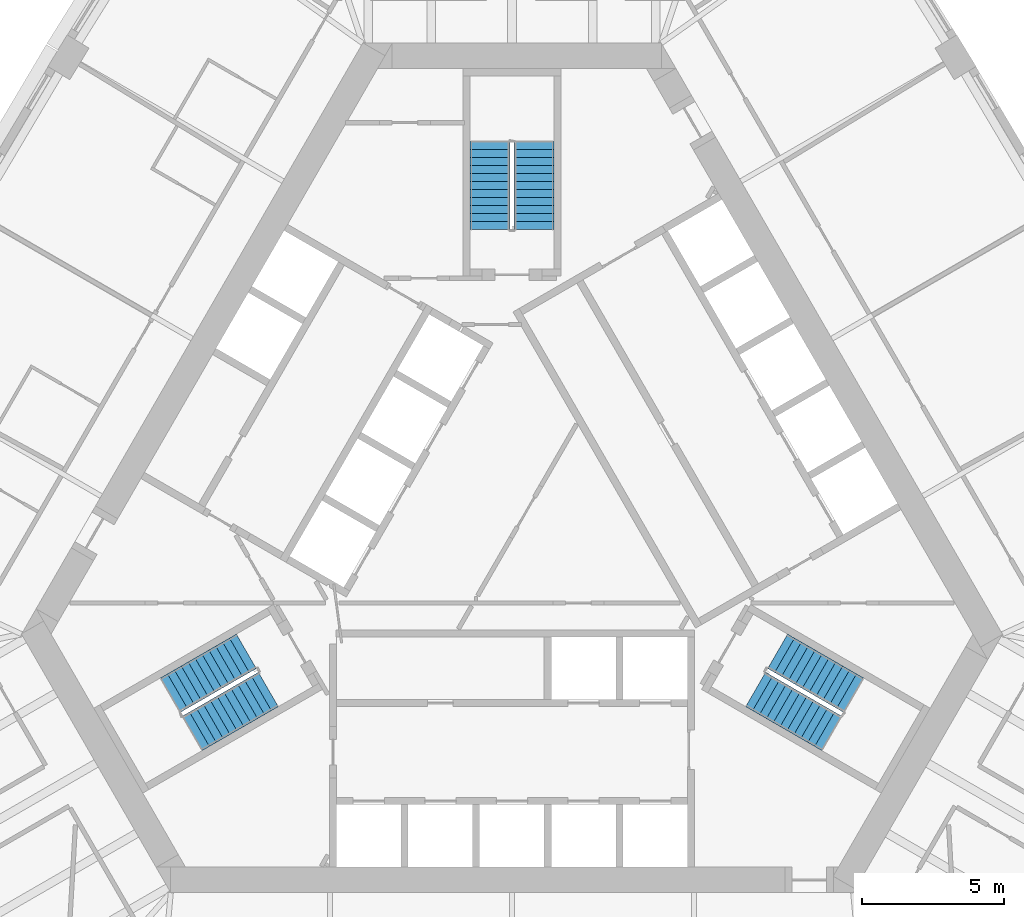
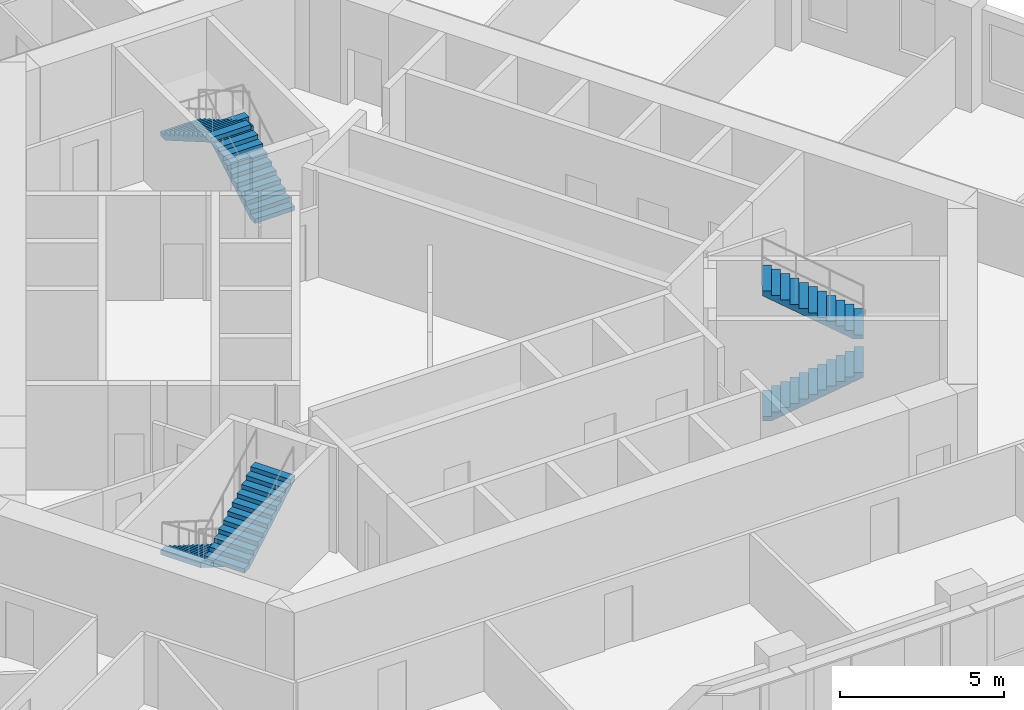
# One storey, part 11 of 12: 6 stair flights, 3 elements without a shape of their own.
"""IFC4 building model written with IfcOpenShell, lengths in metres."""

from ifc_helpers import new_model, si_unit, direction, frame, origin, place, context, subcontext, project, spatial, polyline, outline, extrude, material, type_object, element, aggregate, save


model = new_model("IFC4")

# Units and contexts
model_context = context("Model", 3, precision=1e-05, world=origin(), true_north=direction((0.0, 1.0)))
body_context = subcontext(model_context, "Body", "Model", "MODEL_VIEW")
ifc_project = project(units=[si_unit("LENGTHUNIT", "METRE"), si_unit("AREAUNIT", "SQUARE_METRE"), si_unit("VOLUMEUNIT", "CUBIC_METRE"), si_unit("PLANEANGLEUNIT", "RADIAN"), si_unit("MASSUNIT", "GRAM", prefix="KILO")], contexts=[model_context])

# Site, building, storey
site_placement = place(None, origin())
site = spatial("IfcSite", under=ifc_project, at=site_placement, CompositionType="ELEMENT")
building_placement = place(site_placement, origin())
building = spatial("IfcBuilding", under=site, at=building_placement, Name="Mestral Congress Tower", CompositionType="ELEMENT")
storey_placement = place(building_placement, frame((0.0, 0.0, 130.5)))
storey = spatial("IfcBuildingStorey", under=building, at=storey_placement, Name="L31", CompositionType="ELEMENT", Elevation=130.5)

# Stair, stair flights
ifc_material = material(Name="Concrete C60/75", Category="concrete")
stair_type = type_object("IfcStairType", Name="Exit stair 1400", PredefinedType="HALF_TURN_STAIR", material=ifc_material)
placement = place(storey_placement, origin())
stair_1 = element("IfcStair", 1, at=placement, inside=storey, type_object=stair_type, Name="L31 ST1", PredefinedType="HALF_TURN_STAIR")
stair_flight_type = type_object("IfcStairFlightType", Name="Exit stair flight 1400", PredefinedType="STRAIGHT", material=ifc_material)
stair_flight_1_placement = place(storey_placement, frame((8.575927734375, -5.84619140625, 0.0), z_axis=(0.0, 0.0, 1.0), x_axis=(0.866025403784, -0.5, 0.0)))
stair_flight_1 = element("IfcStairFlight", 2, at=stair_flight_1_placement, type_object=stair_flight_type, Name="ST1 flight 1", NumberOfRisers=12, NumberOfTreads=11, PredefinedType="STRAIGHT", RiserHeight=0.1625, TreadLength=0.28, context=body_context, shape_type="SweptSolid", body=[
    extrude(outline(polyline([(0.0, 0.0), (0.0, 0.16259765625), (0.280029296875, 0.16259765625), (0.280029296875, 0.324951171875), (0.56005859375, 0.324951171875), (0.56005859375, 0.487548828125), (0.840087890625, 0.487548828125), (0.840087890625, 0.64990234375), (1.1201171875, 0.64990234375), (1.1201171875, 0.8125), (1.39990234375, 0.8125), (1.39990234375, 0.97509765625), (1.679931640625, 0.97509765625), (1.679931640625, 1.137451171875), (1.9599609375, 1.137451171875), (1.9599609375, 1.300048828125), (2.239990234375, 1.300048828125), (2.239990234375, 1.46240234375), (2.52001953125, 1.46240234375), (2.52001953125, 1.625), (2.800048828125, 1.625), (2.800048828125, 1.78759765625), (3.080078125, 1.78759765625), (3.080078125, 1.949951171875), (3.080078125, 1.6142578125), (0.298583984375, 0.0), (0.0, 0.0)])), frame((0.0, 0.699951171875, 0.0), z_axis=(0.0, -1.0, 0.0), x_axis=(1.0, 0.0, 0.0)), (0.0, 0.0, 1.0), 1.39990234375),
])
stair_flight_2_placement = place(storey_placement, frame((12.018310546875, -6.0439453125, 1.949951171875), z_axis=(0.0, 0.0, 1.0), x_axis=(-0.866025403784, 0.5, 0.0)))
stair_flight_2 = element("IfcStairFlight", 3, at=stair_flight_2_placement, type_object=stair_flight_type, Name="ST1 flight 2", NumberOfRisers=12, NumberOfTreads=11, PredefinedType="STRAIGHT", RiserHeight=0.1625, TreadLength=0.28, context=body_context, shape_type="SweptSolid", body=[
    extrude(outline(polyline([(0.0, 0.0), (0.0, 0.16259765625), (0.280029296875, 0.16259765625), (0.280029296875, 0.324951171875), (0.56005859375, 0.324951171875), (0.56005859375, 0.487548828125), (0.840087890625, 0.487548828125), (0.840087890625, 0.64990234375), (1.1201171875, 0.64990234375), (1.1201171875, 0.8125), (1.39990234375, 0.8125), (1.39990234375, 0.97509765625), (1.679931640625, 0.97509765625), (1.679931640625, 1.137451171875), (1.9599609375, 1.137451171875), (1.9599609375, 1.300048828125), (2.239990234375, 1.300048828125), (2.239990234375, 1.46240234375), (2.52001953125, 1.46240234375), (2.52001953125, 1.625), (2.800048828125, 1.625), (2.800048828125, 1.78759765625), (3.080078125, 1.78759765625), (3.080078125, 1.949951171875), (3.080078125, 1.6142578125), (0.298583984375, 0.0), (0.0, 0.0)])), frame((0.0, 0.699951171875, 0.0), z_axis=(0.0, -1.0, 0.0), x_axis=(1.0, 0.0, 0.0)), (0.0, 0.0, 1.0), 1.39990234375),
])
aggregate(stair_1, [stair_flight_1, stair_flight_2])

stair_2 = element("IfcStair", 4, at=placement, inside=storey, type_object=stair_type, Name="L31 ST2", PredefinedType="HALF_TURN_STAIR")
stair_flight_3_placement = place(storey_placement, frame((0.77490234375, 10.35009765625, 0.0), z_axis=(0.0, 0.0, 1.0), x_axis=(0.0, 1.0, 0.0)))
stair_flight_3 = element("IfcStairFlight", 5, at=stair_flight_3_placement, type_object=stair_flight_type, Name="ST2 flight 1", NumberOfRisers=12, NumberOfTreads=11, PredefinedType="STRAIGHT", RiserHeight=0.1625, TreadLength=0.28, context=body_context, shape_type="SweptSolid", body=[
    extrude(outline(polyline([(0.0, 0.0), (0.0, 0.16259765625), (0.280029296875, 0.16259765625), (0.280029296875, 0.324951171875), (0.56005859375, 0.324951171875), (0.56005859375, 0.487548828125), (0.840087890625, 0.487548828125), (0.840087890625, 0.64990234375), (1.1201171875, 0.64990234375), (1.1201171875, 0.8125), (1.39990234375, 0.8125), (1.39990234375, 0.97509765625), (1.679931640625, 0.97509765625), (1.679931640625, 1.137451171875), (1.9599609375, 1.137451171875), (1.9599609375, 1.300048828125), (2.239990234375, 1.300048828125), (2.239990234375, 1.46240234375), (2.52001953125, 1.46240234375), (2.52001953125, 1.625), (2.800048828125, 1.625), (2.800048828125, 1.78759765625), (3.080078125, 1.78759765625), (3.080078125, 1.949951171875), (3.080078125, 1.6142578125), (0.298583984375, 0.0), (0.0, 0.0)])), frame((0.0, 0.699951171875, 0.0), z_axis=(0.0, -1.0, 0.0), x_axis=(1.0, 0.0, 0.0)), (0.0, 0.0, 1.0), 1.39990234375),
])
stair_flight_4_placement = place(storey_placement, frame((-0.77490234375, 13.429931640625, 1.949951171875), z_axis=(0.0, 0.0, 1.0), x_axis=(0.0, -1.0, 0.0)))
stair_flight_4 = element("IfcStairFlight", 6, at=stair_flight_4_placement, type_object=stair_flight_type, Name="ST2 flight 2", NumberOfRisers=12, NumberOfTreads=11, PredefinedType="STRAIGHT", RiserHeight=0.1625, TreadLength=0.28, context=body_context, shape_type="SweptSolid", body=[
    extrude(outline(polyline([(0.0, 0.0), (0.0, 0.16259765625), (0.280029296875, 0.16259765625), (0.280029296875, 0.324951171875), (0.56005859375, 0.324951171875), (0.56005859375, 0.487548828125), (0.840087890625, 0.487548828125), (0.840087890625, 0.64990234375), (1.1201171875, 0.64990234375), (1.1201171875, 0.8125), (1.39990234375, 0.8125), (1.39990234375, 0.97509765625), (1.679931640625, 0.97509765625), (1.679931640625, 1.137451171875), (1.9599609375, 1.137451171875), (1.9599609375, 1.300048828125), (2.239990234375, 1.300048828125), (2.239990234375, 1.46240234375), (2.52001953125, 1.46240234375), (2.52001953125, 1.625), (2.800048828125, 1.625), (2.800048828125, 1.78759765625), (3.080078125, 1.78759765625), (3.080078125, 1.949951171875), (3.080078125, 1.6142578125), (0.298583984375, 0.0), (0.0, 0.0)])), frame((0.0, 0.699951171875, 0.0), z_axis=(0.0, -1.0, 0.0), x_axis=(1.0, 0.0, 0.0)), (0.0, 0.0, 1.0), 1.39990234375),
])
aggregate(stair_2, [stair_flight_3, stair_flight_4])

stair_3 = element("IfcStair", 7, at=placement, inside=storey, type_object=stair_type, Name="L31 ST3", PredefinedType="HALF_TURN_STAIR")
stair_flight_5_placement = place(storey_placement, frame((-9.350830078125, -4.50390625, 0.0), z_axis=(0.0, 0.0, 1.0), x_axis=(-0.866025403784, -0.5, 0.0)))
stair_flight_5 = element("IfcStairFlight", 8, at=stair_flight_5_placement, type_object=stair_flight_type, Name="ST3 flight 1", NumberOfRisers=12, NumberOfTreads=11, PredefinedType="STRAIGHT", RiserHeight=0.1625, TreadLength=0.28, context=body_context, shape_type="SweptSolid", body=[
    extrude(outline(polyline([(0.0, 0.0), (0.0, 0.16259765625), (0.280029296875, 0.16259765625), (0.280029296875, 0.324951171875), (0.56005859375, 0.324951171875), (0.56005859375, 0.487548828125), (0.840087890625, 0.487548828125), (0.840087890625, 0.64990234375), (1.1201171875, 0.64990234375), (1.1201171875, 0.8125), (1.39990234375, 0.8125), (1.39990234375, 0.97509765625), (1.679931640625, 0.97509765625), (1.679931640625, 1.137451171875), (1.9599609375, 1.137451171875), (1.9599609375, 1.300048828125), (2.239990234375, 1.300048828125), (2.239990234375, 1.46240234375), (2.52001953125, 1.46240234375), (2.52001953125, 1.625), (2.800048828125, 1.625), (2.800048828125, 1.78759765625), (3.080078125, 1.78759765625), (3.080078125, 1.949951171875), (3.080078125, 1.6142578125), (0.298583984375, 0.0), (0.0, 0.0)])), frame((0.0, 0.699951171875, 0.0), z_axis=(0.0, -1.0, 0.0), x_axis=(1.0, 0.0, 0.0)), (0.0, 0.0, 1.0), 1.39990234375),
])
stair_flight_6_placement = place(storey_placement, frame((-11.2431640625, -7.38623046875, 1.949951171875), z_axis=(0.0, 0.0, 1.0), x_axis=(0.866025403784, 0.5, 0.0)))
stair_flight_6 = element("IfcStairFlight", 9, at=stair_flight_6_placement, type_object=stair_flight_type, Name="ST3 flight 2", NumberOfRisers=12, NumberOfTreads=11, PredefinedType="STRAIGHT", RiserHeight=0.1625, TreadLength=0.28, context=body_context, shape_type="SweptSolid", body=[
    extrude(outline(polyline([(0.0, 0.0), (0.0, 0.16259765625), (0.280029296875, 0.16259765625), (0.280029296875, 0.324951171875), (0.56005859375, 0.324951171875), (0.56005859375, 0.487548828125), (0.840087890625, 0.487548828125), (0.840087890625, 0.64990234375), (1.1201171875, 0.64990234375), (1.1201171875, 0.8125), (1.39990234375, 0.8125), (1.39990234375, 0.97509765625), (1.679931640625, 0.97509765625), (1.679931640625, 1.137451171875), (1.9599609375, 1.137451171875), (1.9599609375, 1.300048828125), (2.239990234375, 1.300048828125), (2.239990234375, 1.46240234375), (2.52001953125, 1.46240234375), (2.52001953125, 1.625), (2.800048828125, 1.625), (2.800048828125, 1.78759765625), (3.080078125, 1.78759765625), (3.080078125, 1.949951171875), (3.080078125, 1.6142578125), (0.298583984375, 0.0), (0.0, 0.0)])), frame((0.0, 0.699951171875, 0.0), z_axis=(0.0, -1.0, 0.0), x_axis=(1.0, 0.0, 0.0)), (0.0, 0.0, 1.0), 1.39990234375),
])
aggregate(stair_3, [stair_flight_5, stair_flight_6])

save(model, "model.ifc")
